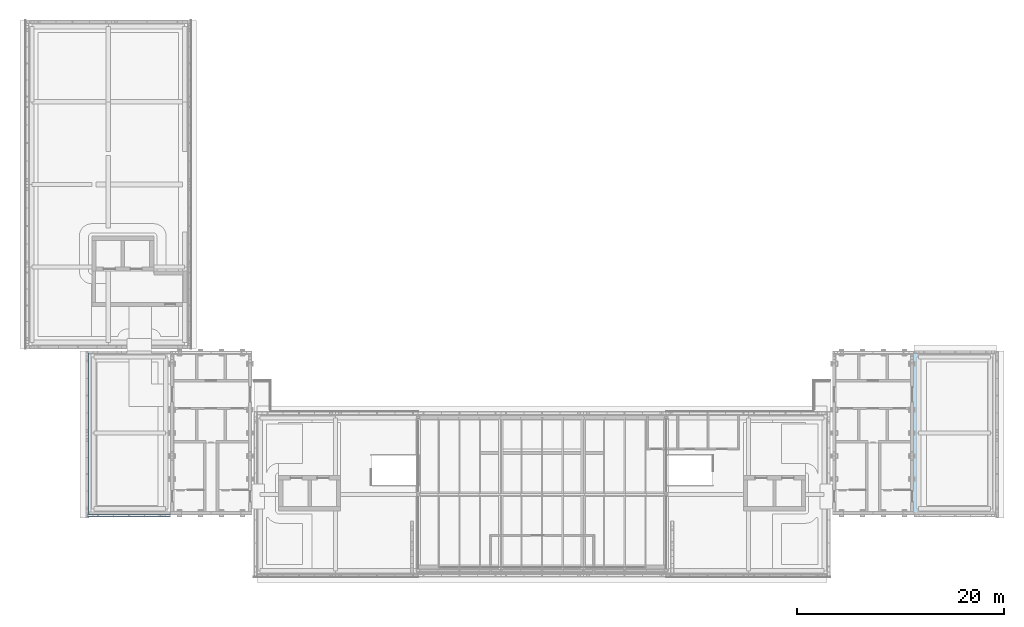
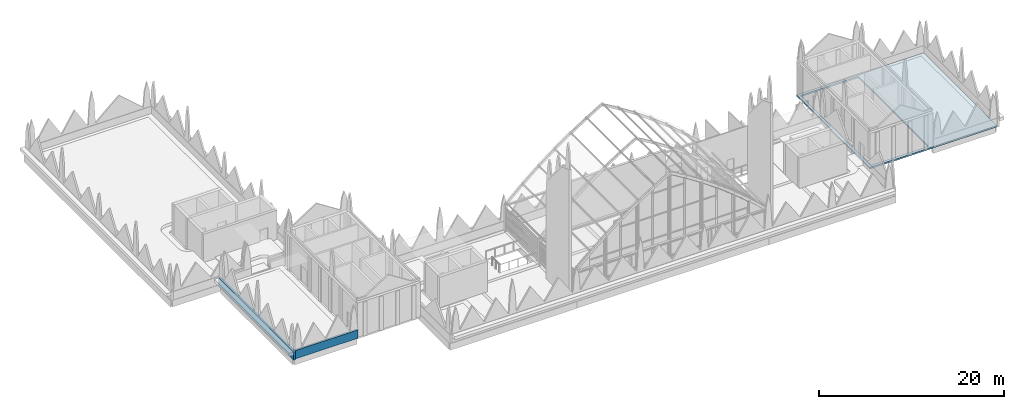
# One storey, part 9 of 18: 2 walls, 1 slab.
"""IFC4 building model written with IfcOpenShell, lengths in metres."""

from ifc_helpers import new_model, si_unit, direction, frame, frame_2d, origin, place, context, subcontext, project, spatial, polyline, rectangle, outline, extrude, material, layer, layer_set, type_object, element, save


model = new_model("IFC4")

# Units and contexts
model_context = context("Model", 3, precision=1e-05, world=origin(), true_north=direction((0.0, 1.0)))
body_context = subcontext(model_context, "Body", "Model", "MODEL_VIEW")
ifc_project = project(units=[si_unit("LENGTHUNIT", "METRE"), si_unit("AREAUNIT", "SQUARE_METRE"), si_unit("VOLUMEUNIT", "CUBIC_METRE"), si_unit("PLANEANGLEUNIT", "RADIAN"), si_unit("MASSUNIT", "GRAM", prefix="KILO")], contexts=[model_context])

# Site, building, storey
site_placement = place(None, origin())
site = spatial("IfcSite", under=ifc_project, at=site_placement, CompositionType="ELEMENT")
building_placement = place(site_placement, origin())
building = spatial("IfcBuilding", under=site, at=building_placement, Name="Lantern Court Media Centre", CompositionType="ELEMENT")
storey_placement = place(building_placement, frame((0.0, 0.0, 33.60009765625)))
storey = spatial("IfcBuildingStorey", under=building, at=storey_placement, Name="R00", CompositionType="ELEMENT", Elevation=33.60009765625)

# Slab
ifc_material_1 = material(Name="Concrete C35", Category="concrete")
ifc_layer_1 = layer(ifc_material_1, 0.199951171875)
ifc_layer_set_1 = layer_set([ifc_layer_1], Name="Concrete C35")
slab_type = type_object("IfcSlabType", Name="RC ROOF SLAB 200", PredefinedType="ROOF", material=ifc_layer_set_1)
slab_placement = place(storey_placement, frame((0.0, 0.0, -0.2001953125)))
element("IfcSlab", 1, at=slab_placement, inside=storey, type_object=slab_type, Name="SL-SE-ROOF", PredefinedType="ROOF", context=body_context, shape_type="SweptSolid", body=[
    extrude(outline(polyline([(80.10009765625, 48.0), (80.10009765625, 63.89990234375), (96.0, 63.89990234375), (96.0, 48.0), (80.10009765625, 48.0)]), holes=[polyline([(87.64990234375, 63.550048828125), (80.449951171875, 63.550048828125), (80.449951171875, 48.35009765625), (87.64990234375, 48.35009765625), (87.64990234375, 63.550048828125)])]), origin(), (0.0, 0.0, 1.0), 0.2001953125),
])

# Walls
ifc_material_2 = material(Name="Honed limestone cladding on blockwork", Category="masonry")
ifc_layer_2 = layer(ifc_material_2, 0.25)
ifc_layer_set_2 = layer_set([ifc_layer_2], Name="Honed limestone cladding on blockwork")
wall_type = type_object("IfcWallType", Name="Limestone parapet wall 250", PredefinedType="PARAPET", material=ifc_layer_set_2)
wall_1_placement = place(storey_placement, frame((7.955078125, 47.699951171875, 0.0), z_axis=(0.0, 0.0, 1.0), x_axis=(0.0, 1.0, 0.0)))
element("IfcWall", 2, at=wall_1_placement, inside=storey, type_object=wall_type, Name="Limestone parapet SW W", PredefinedType="PARAPET", context=body_context, shape_type="SweptSolid", body=[
    extrude(rectangle(XDim=16.199951171875, YDim=0.25, at=frame_2d((8.10009765625, 0.0))), origin(), (0.0, 0.0, 1.0), 1.099853515625),
])
wall_2_placement = place(storey_placement, frame((8.0, 47.955078125, 0.0), z_axis=(0.0, 0.0, 1.0), x_axis=(1.0, 0.0, 0.0)))
element("IfcWall", 3, at=wall_2_placement, inside=storey, type_object=wall_type, Name="Limestone parapet SW S", PredefinedType="PARAPET", context=body_context, shape_type="SweptSolid", body=[
    extrude(rectangle(XDim=8.0, YDim=0.25, at=frame_2d((4.0, 0.0))), origin(), (0.0, 0.0, 1.0), 1.099853515625),
])

save(model, "model.ifc")
